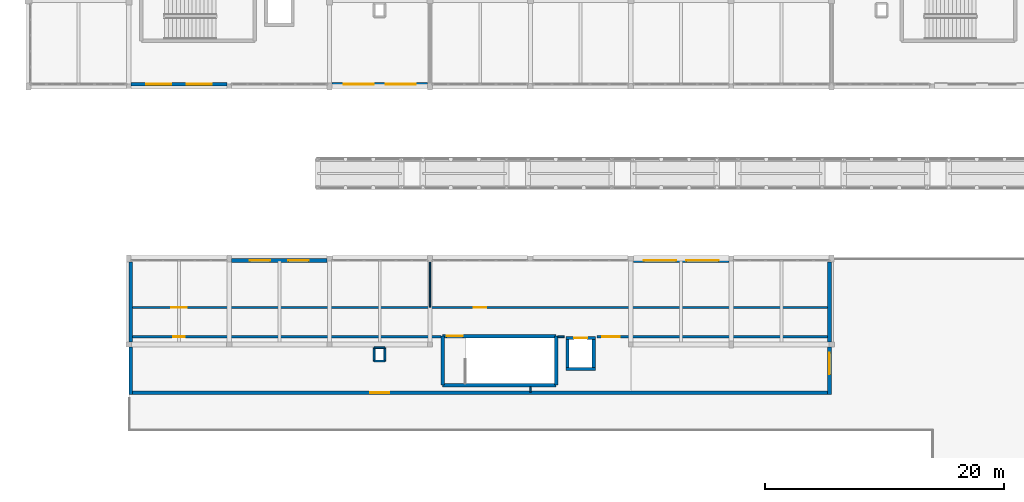
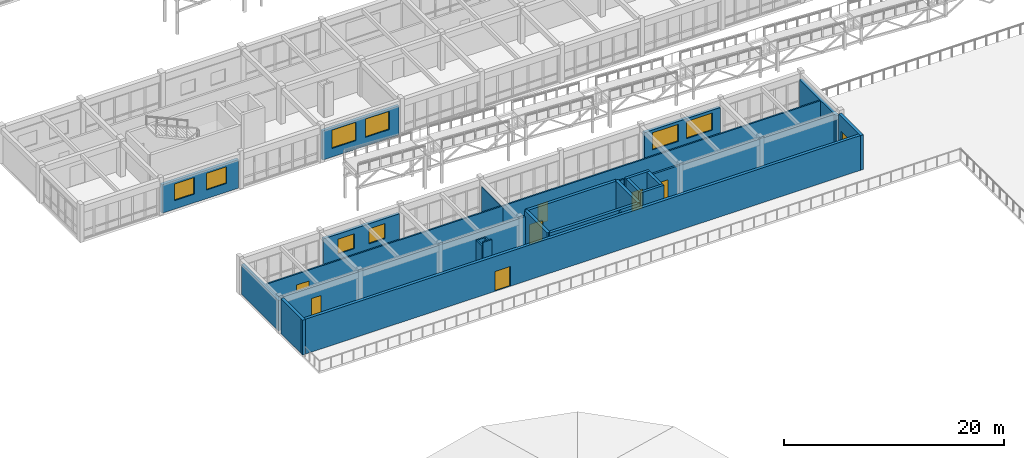
# One storey, part 73 of 89: 28 walls, 8 doors, 8 windows, 16 openings.
"""IFC4 building model written with IfcOpenShell, lengths in metres."""

from ifc_helpers import new_model, si_unit, direction, frame, frame_2d, origin, place, context, subcontext, project, spatial, rectangle, extrude, material, layer, layer_set, type_object, element, fill, save


model = new_model("IFC4")

# Units and contexts
model_context = context("Model", 3, precision=1e-05, world=origin(), true_north=direction((0.0, 1.0)))
body_context = subcontext(model_context, "Body", "Model", "MODEL_VIEW")
ifc_project = project(units=[si_unit("LENGTHUNIT", "METRE"), si_unit("AREAUNIT", "SQUARE_METRE"), si_unit("VOLUMEUNIT", "CUBIC_METRE"), si_unit("PLANEANGLEUNIT", "RADIAN"), si_unit("MASSUNIT", "GRAM", prefix="KILO")], contexts=[model_context])

# Site, building, storey
site_placement = place(None, origin())
site = spatial("IfcSite", under=ifc_project, at=site_placement, CompositionType="ELEMENT")
building_placement = place(site_placement, origin())
building = spatial("IfcBuilding", under=site, at=building_placement, Name="Malvenik Polytechnic", CompositionType="ELEMENT")
storey_placement = place(building_placement, frame((0.0, 0.0, 13.5)))
storey = spatial("IfcBuildingStorey", under=building, at=storey_placement, Name="L03", CompositionType="ELEMENT", Elevation=13.5)

# Wall
ifc_material_1 = material(Name="Concrete C35/45", Category="concrete")
ifc_layer_1 = layer(ifc_material_1, 0.280029296875)
ifc_layer_set_1 = layer_set([ifc_layer_1], Name="Concrete C35/45")
wall_type_1 = type_object("IfcWallType", Name="ARC-CW-S280", PredefinedType="SHEAR", material=ifc_layer_set_1)
wall_1_placement = place(storey_placement, frame((47.43994140625, 55.550048828125, 0.0), z_axis=(0.0, 0.0, 1.0), x_axis=(-1.0, 0.0, 0.0)))
element("IfcWall", 1, at=wall_1_placement, inside=storey, type_object=wall_type_1, Name="Lift Shaft Shear Wall LP-03 L03 -Y", PredefinedType="SHEAR", context=body_context, shape_type="SweptSolid", body=[
    extrude(rectangle(XDim=2.47998046875, YDim=0.280029296875, at=frame_2d((1.239990234375, 0.0))), origin(), (0.0, 0.0, 1.0), 3.93994140625),
])

# Wall, opening, door
wall_2_placement = place(storey_placement, frame((44.9599609375, 58.14990234375, 0.0), z_axis=(0.0, 0.0, 1.0), x_axis=(1.0, 0.0, 0.0)))
wall_2 = element("IfcWall", 2, at=wall_2_placement, inside=storey, type_object=wall_type_1, Name="Lift Shaft Shear Wall LP-03 L03 +Y", PredefinedType="SHEAR", context=body_context, shape_type="SweptSolid", body=[
    extrude(rectangle(XDim=2.47998046875, YDim=0.280029296875, at=frame_2d((1.239990234375, 0.0))), origin(), (0.0, 0.0, 1.0), 3.93994140625),
])
opening_1_placement = place(wall_2_placement, frame((0.68994140625, 0.0, 0.0)))
opening_1 = element("IfcOpeningElement", 3, at=opening_1_placement, cuts=wall_2, Name="Opening LD-01", PredefinedType="OPENING", context=body_context, shape_type="SweptSolid", body=[
    extrude(rectangle(XDim=1.10009765625, YDim=2.14990234375, at=frame_2d((0.550048828125, 1.074951171875))), frame((0.0, 0.14990234375, 0.0), z_axis=(0.0, -1.0, 0.0), x_axis=(1.0, 0.0, 0.0)), (0.0, 0.0, 1.0), 0.300048828125),
])
ifc_material_2 = material(Name="Stainless steel fire-rated sliding lift landing door", Category="steel")
door_type_1 = type_object("IfcDoorType", Name="ARC-LDR-LD-01", OperationType="NOTDEFINED", PredefinedType="DOOR", material=ifc_material_2)
door_1_placement = place(opening_1_placement, origin())
door_1 = element("IfcDoor", 4, at=door_1_placement, inside=storey, type_object=door_type_1, Name="Lift Sliding Landing Door LP-03 L03", OperationType="DOUBLE_DOOR_SLIDING", OverallHeight=2.14990234375, OverallWidth=1.10009765625, PredefinedType="DOOR", context=body_context, shape_type="SweptSolid", body=[
    extrude(rectangle(XDim=1.10009765625, YDim=2.14990234375, at=frame_2d((0.550048828125, 1.074951171875))), frame((0.0, 0.02490234375, 0.0), z_axis=(0.0, -1.0, 0.0), x_axis=(1.0, 0.0, 0.0)), (0.0, 0.0, 1.0), 0.050048828125),
])
fill(opening_1, door_1)

# Walls
for number, where, z_axis, x_axis, name in (
    (5, (45.10009765625, 55.409912109375, 0.0), (0.0, 0.0, 1.0), (0.0, 1.0, 0.0), "Lift Shaft Shear Wall LP-03 L03 -X"),
    (6, (47.300048828125, 58.2900390625, 0.0), (0.0, 0.0, 1.0), (0.0, -1.0, 0.0), "Lift Shaft Shear Wall LP-03 L03 +X"),
):
    element("IfcWall", number, at=place(storey_placement, frame(where, z_axis=z_axis, x_axis=x_axis)), inside=storey, type_object=wall_type_1, Name=name, PredefinedType="SHEAR", context=body_context, shape_type="SweptSolid", body=[
        extrude(rectangle(XDim=2.880126953125, YDim=0.280029296875, at=frame_2d((1.43994140625, 0.0))), origin(), (0.0, 0.0, 1.0), 3.93994140625),
    ])
ifc_layer_2 = layer(ifc_material_1, 0.300048828125)
ifc_layer_set_2 = layer_set([ifc_layer_2], Name="Concrete C35/45")
wall_type_2 = type_object("IfcWallType", Name="ARC-CW-S300", PredefinedType="SHEAR", material=ifc_layer_set_2)
wall_3_placement = place(storey_placement, frame((34.64990234375, 54.199951171875, 0.0), z_axis=(0.0, 0.0, 1.0), x_axis=(0.0, 1.0, 0.0)))
element("IfcWall", 7, at=wall_3_placement, inside=storey, type_object=wall_type_2, Name="Stair Core Shear Wall ST-06 L03 NEAR", PredefinedType="SHEAR", context=body_context, shape_type="SweptSolid", body=[
    extrude(rectangle(XDim=4.10009765625, YDim=0.300048828125, at=frame_2d((2.050048828125, 0.0))), origin(), (0.0, 0.0, 1.0), 3.93994140625),
])

# Wall, opening, door
wall_4_placement = place(storey_placement, frame((34.64990234375, 58.300048828125, 0.0), z_axis=(0.0, 0.0, 1.0), x_axis=(1.0, 0.0, 0.0)))
wall_4 = element("IfcWall", 8, at=wall_4_placement, inside=storey, type_object=wall_type_2, Name="Stair Core Shear Wall ST-06 L03 RGHT", PredefinedType="SHEAR", context=body_context, shape_type="SweptSolid", body=[
    extrude(rectangle(XDim=9.5, YDim=0.300048828125, at=frame_2d((4.75, 0.0))), origin(), (0.0, 0.0, 1.0), 3.93994140625),
])
opening_2_placement = place(wall_4_placement, frame((0.35009765625, 0.0, 0.0)))
opening_2 = element("IfcOpeningElement", 9, at=opening_2_placement, cuts=wall_4, Name="Opening SD-01", PredefinedType="OPENING", context=body_context, shape_type="SweptSolid", body=[
    extrude(rectangle(XDim=1.35009765625, YDim=2.199951171875, at=frame_2d((0.675048828125, 1.10009765625))), frame((0.0, 0.16015625, 0.0), z_axis=(0.0, -1.0, 0.0), x_axis=(1.0, 0.0, 0.0)), (0.0, 0.0, 1.0), 0.320068359375),
])
ifc_material_3 = material(Name="Fire-rated steel stair enclosure door", Category="steel")
door_type_2 = type_object("IfcDoorType", Name="ARC-IDR-SD-01", OperationType="NOTDEFINED", PredefinedType="DOOR", material=ifc_material_3)
door_2_placement = place(opening_2_placement, origin())
door_2 = element("IfcDoor", 10, at=door_2_placement, inside=storey, type_object=door_type_2, Name="Fire Stair Door ST-06 L03", OperationType="SINGLE_SWING_LEFT", OverallHeight=2.199951171875, OverallWidth=1.35009765625, PredefinedType="DOOR", context=body_context, shape_type="SweptSolid", body=[
    extrude(rectangle(XDim=1.35009765625, YDim=2.199951171875, at=frame_2d((0.675048828125, 1.10009765625))), frame((0.0, 0.02490234375, 0.0), z_axis=(0.0, -1.0, 0.0), x_axis=(1.0, 0.0, 0.0)), (0.0, 0.0, 1.0), 0.050048828125),
])
fill(opening_2, door_2)

# Walls
wall_5_placement = place(storey_placement, frame((44.14990234375, 58.300048828125, 0.0), z_axis=(0.0, 0.0, 1.0), x_axis=(0.0, -1.0, 0.0)))
element("IfcWall", 11, at=wall_5_placement, inside=storey, type_object=wall_type_2, Name="Stair Core Shear Wall ST-06 L03 FAR", PredefinedType="SHEAR", context=body_context, shape_type="SweptSolid", body=[
    extrude(rectangle(XDim=4.10009765625, YDim=0.300048828125, at=frame_2d((2.050048828125, 0.0))), origin(), (0.0, 0.0, 1.0), 3.93994140625),
])
wall_6_placement = place(storey_placement, frame((44.14990234375, 54.199951171875, 0.0), z_axis=(0.0, 0.0, 1.0), x_axis=(-1.0, 0.0, 0.0)))
element("IfcWall", 12, at=wall_6_placement, inside=storey, type_object=wall_type_2, Name="Stair Core Shear Wall ST-06 L03 LEFT", PredefinedType="SHEAR", context=body_context, shape_type="SweptSolid", body=[
    extrude(rectangle(XDim=9.5, YDim=0.300048828125, at=frame_2d((4.75, 0.0))), origin(), (0.0, 0.0, 1.0), 3.93994140625),
])

# Wall, openings, windows
ifc_material_4 = material(Name="Brick masonry M15", Category="masonry")
ifc_layer_3 = layer(ifc_material_4, 0.31005859375)
ifc_layer_set_3 = layer_set([ifc_layer_3], Name="Brick masonry M15")
wall_type_3 = type_object("IfcWallType", Name="ARC-EW-310", PredefinedType="SOLIDWALL", material=ifc_layer_set_3)
wall_7_placement = place(storey_placement, frame((33.402099609375, 79.3701171875, 0.0), z_axis=(0.0, 0.0, 1.0), x_axis=(-1.0, 0.0, 0.0)))
wall_7 = element("IfcWall", 13, at=wall_7_placement, inside=storey, type_object=wall_type_3, Name="External Facade Wall EW-03 L03 #406", PredefinedType="SOLIDWALL", context=body_context, shape_type="SweptSolid", body=[
    extrude(rectangle(XDim=8.004150390625, YDim=0.31005859375, at=frame_2d((4.001953125, 0.0))), origin(), (0.0, 0.0, 1.0), 3.22998046875),
])
opening_3_placement = place(wall_7_placement, frame((1.001220703125, 0.0, 0.949951171875)))
opening_3 = element("IfcOpeningElement", 14, at=opening_3_placement, cuts=wall_7, Name="Opening W-21", PredefinedType="OPENING", context=body_context, shape_type="SweptSolid", body=[
    extrude(rectangle(XDim=2.5, YDim=2.030029296875, at=frame_2d((1.25, 1.01513671875))), frame((0.0, 0.1650390625, 0.0), z_axis=(0.0, -1.0, 0.0), x_axis=(1.0, 0.0, 0.0)), (0.0, 0.0, 1.0), 0.330078125),
])
opening_4_placement = place(wall_7_placement, frame((4.502685546875, 0.0, 0.949951171875)))
opening_4 = element("IfcOpeningElement", 15, at=opening_4_placement, cuts=wall_7, Name="Opening W-21", PredefinedType="OPENING", context=body_context, shape_type="SweptSolid", body=[
    extrude(rectangle(XDim=2.5, YDim=2.030029296875, at=frame_2d((1.25, 1.01513671875))), frame((0.0, 0.1650390625, 0.0), z_axis=(0.0, -1.0, 0.0), x_axis=(1.0, 0.0, 0.0)), (0.0, 0.0, 1.0), 0.330078125),
])
ifc_material_5 = material(Name="Thermally broken aluminium frame with low-E double glazing", Category="aluminium")
window_type_1 = type_object("IfcWindowType", Name="ARC-WIN-W-21", PartitioningType="SINGLE_PANEL", PredefinedType="WINDOW", material=ifc_material_5)
window_1_placement = place(opening_3_placement, origin())
window_1 = element("IfcWindow", 16, at=window_1_placement, inside=storey, type_object=window_type_1, Name="Punched Window W-21 L03 #416", OverallHeight=2.030029296875, OverallWidth=2.5, PartitioningType="SINGLE_PANEL", PredefinedType="WINDOW", context=body_context, shape_type="SweptSolid", body=[
    extrude(rectangle(XDim=2.5, YDim=2.030029296875, at=frame_2d((1.25, 1.01513671875))), frame((0.0, 0.030029296875, 0.0), z_axis=(0.0, -1.0, 0.0), x_axis=(1.0, 0.0, 0.0)), (0.0, 0.0, 1.0), 0.06005859375),
])
fill(opening_3, window_1)
window_2_placement = place(opening_4_placement, origin())
window_2 = element("IfcWindow", 17, at=window_2_placement, inside=storey, type_object=window_type_1, Name="Punched Window W-21 L03 #417", OverallHeight=2.030029296875, OverallWidth=2.5, PartitioningType="SINGLE_PANEL", PredefinedType="WINDOW", context=body_context, shape_type="SweptSolid", body=[
    extrude(rectangle(XDim=2.5, YDim=2.030029296875, at=frame_2d((1.25, 1.01513671875))), frame((0.0, 0.030029296875, 0.0), z_axis=(0.0, -1.0, 0.0), x_axis=(1.0, 0.0, 0.0)), (0.0, 0.0, 1.0), 0.06005859375),
])
fill(opening_4, window_2)

wall_8_placement = place(storey_placement, frame((16.60205078125, 79.3701171875, 0.0), z_axis=(0.0, 0.0, 1.0), x_axis=(-1.0, 0.0, 0.0)))
wall_8 = element("IfcWall", 18, at=wall_8_placement, inside=storey, type_object=wall_type_3, Name="External Facade Wall EW-03 L03 #407", PredefinedType="SOLIDWALL", context=body_context, shape_type="SweptSolid", body=[
    extrude(rectangle(XDim=8.004150390625, YDim=0.31005859375, at=frame_2d((4.001953125, 0.0))), origin(), (0.0, 0.0, 1.0), 3.159912109375),
])
opening_5_placement = place(wall_8_placement, frame((1.26806640625, 0.0, 0.949951171875)))
opening_5 = element("IfcOpeningElement", 19, at=opening_5_placement, cuts=wall_8, Name="Opening W-23", PredefinedType="OPENING", context=body_context, shape_type="SweptSolid", body=[
    extrude(rectangle(XDim=2.10009765625, YDim=1.85009765625, at=frame_2d((1.050048828125, 0.925048828125))), frame((0.0, 0.1650390625, 0.0), z_axis=(0.0, -1.0, 0.0), x_axis=(1.0, 0.0, 0.0)), (0.0, 0.0, 1.0), 0.330078125),
])
opening_6_placement = place(wall_8_placement, frame((4.635986328125, 0.0, 0.949951171875)))
opening_6 = element("IfcOpeningElement", 20, at=opening_6_placement, cuts=wall_8, Name="Opening W-23", PredefinedType="OPENING", context=body_context, shape_type="SweptSolid", body=[
    extrude(rectangle(XDim=2.10009765625, YDim=1.85009765625, at=frame_2d((1.050048828125, 0.925048828125))), frame((0.0, 0.1650390625, 0.0), z_axis=(0.0, -1.0, 0.0), x_axis=(1.0, 0.0, 0.0)), (0.0, 0.0, 1.0), 0.330078125),
])
window_type_2 = type_object("IfcWindowType", Name="ARC-WIN-W-23", PartitioningType="SINGLE_PANEL", PredefinedType="WINDOW", material=ifc_material_5)
window_3_placement = place(opening_5_placement, origin())
window_3 = element("IfcWindow", 21, at=window_3_placement, inside=storey, type_object=window_type_2, Name="Punched Window W-23 L03 #418", OverallHeight=1.85009765625, OverallWidth=2.10009765625, PartitioningType="SINGLE_PANEL", PredefinedType="WINDOW", context=body_context, shape_type="SweptSolid", body=[
    extrude(rectangle(XDim=2.10009765625, YDim=1.85009765625, at=frame_2d((1.050048828125, 0.925048828125))), frame((0.0, 0.030029296875, 0.0), z_axis=(0.0, -1.0, 0.0), x_axis=(1.0, 0.0, 0.0)), (0.0, 0.0, 1.0), 0.06005859375),
])
fill(opening_5, window_3)
window_4_placement = place(opening_6_placement, origin())
window_4 = element("IfcWindow", 22, at=window_4_placement, inside=storey, type_object=window_type_2, Name="Punched Window W-23 L03 #419", OverallHeight=1.85009765625, OverallWidth=2.10009765625, PartitioningType="SINGLE_PANEL", PredefinedType="WINDOW", context=body_context, shape_type="SweptSolid", body=[
    extrude(rectangle(XDim=2.10009765625, YDim=1.85009765625, at=frame_2d((1.050048828125, 0.925048828125))), frame((0.0, 0.030029296875, 0.0), z_axis=(0.0, -1.0, 0.0), x_axis=(1.0, 0.0, 0.0)), (0.0, 0.0, 1.0), 0.06005859375),
])
fill(opening_6, window_4)

wall_9_placement = place(storey_placement, frame((16.998046875, 64.6298828125, 0.0), z_axis=(0.0, 0.0, 1.0), x_axis=(1.0, 0.0, 0.0)))
wall_9 = element("IfcWall", 23, at=wall_9_placement, inside=storey, type_object=wall_type_3, Name="External Facade Wall EW-03 L03 #409", PredefinedType="SOLIDWALL", context=body_context, shape_type="SweptSolid", body=[
    extrude(rectangle(XDim=7.97900390625, YDim=0.31005859375, at=frame_2d((3.989501953125, 0.0))), origin(), (0.0, 0.0, 1.0), 3.159912109375),
])
opening_7_placement = place(wall_9_placement, frame((1.5263671875, 0.0, 0.949951171875)))
opening_7 = element("IfcOpeningElement", 24, at=opening_7_placement, cuts=wall_9, Name="Opening W-25", PredefinedType="OPENING", context=body_context, shape_type="SweptSolid", body=[
    extrude(rectangle(XDim=1.699951171875, YDim=1.64990234375, at=frame_2d((0.85009765625, 0.824951171875))), frame((0.0, 0.1650390625, 0.0), z_axis=(0.0, -1.0, 0.0), x_axis=(1.0, 0.0, 0.0)), (0.0, 0.0, 1.0), 0.330078125),
])
opening_8_placement = place(wall_9_placement, frame((4.752685546875, 0.0, 0.949951171875)))
opening_8 = element("IfcOpeningElement", 25, at=opening_8_placement, cuts=wall_9, Name="Opening W-25", PredefinedType="OPENING", context=body_context, shape_type="SweptSolid", body=[
    extrude(rectangle(XDim=1.699951171875, YDim=1.64990234375, at=frame_2d((0.85009765625, 0.824951171875))), frame((0.0, 0.1650390625, 0.0), z_axis=(0.0, -1.0, 0.0), x_axis=(1.0, 0.0, 0.0)), (0.0, 0.0, 1.0), 0.330078125),
])
window_type_3 = type_object("IfcWindowType", Name="ARC-WIN-W-25", PartitioningType="SINGLE_PANEL", PredefinedType="WINDOW", material=ifc_material_5)
window_5_placement = place(opening_7_placement, origin())
window_5 = element("IfcWindow", 26, at=window_5_placement, inside=storey, type_object=window_type_3, Name="Punched Window W-25 L03 #420", OverallHeight=1.64990234375, OverallWidth=1.699951171875, PartitioningType="SINGLE_PANEL", PredefinedType="WINDOW", context=body_context, shape_type="SweptSolid", body=[
    extrude(rectangle(XDim=1.699951171875, YDim=1.64990234375, at=frame_2d((0.85009765625, 0.824951171875))), frame((0.0, 0.030029296875, 0.0), z_axis=(0.0, -1.0, 0.0), x_axis=(1.0, 0.0, 0.0)), (0.0, 0.0, 1.0), 0.06005859375),
])
fill(opening_7, window_5)
window_6_placement = place(opening_8_placement, origin())
window_6 = element("IfcWindow", 27, at=window_6_placement, inside=storey, type_object=window_type_3, Name="Punched Window W-25 L03 #421", OverallHeight=1.64990234375, OverallWidth=1.699951171875, PartitioningType="SINGLE_PANEL", PredefinedType="WINDOW", context=body_context, shape_type="SweptSolid", body=[
    extrude(rectangle(XDim=1.699951171875, YDim=1.64990234375, at=frame_2d((0.85009765625, 0.824951171875))), frame((0.0, 0.030029296875, 0.0), z_axis=(0.0, -1.0, 0.0), x_axis=(1.0, 0.0, 0.0)), (0.0, 0.0, 1.0), 0.06005859375),
])
fill(opening_8, window_6)

wall_10_placement = place(storey_placement, frame((50.623046875, 64.6298828125, 0.0), z_axis=(0.0, 0.0, 1.0), x_axis=(1.0, 0.0, 0.0)))
wall_10 = element("IfcWall", 28, at=wall_10_placement, inside=storey, type_object=wall_type_3, Name="External Facade Wall EW-03 L03 #410", PredefinedType="SOLIDWALL", context=body_context, shape_type="SweptSolid", body=[
    extrude(rectangle(XDim=7.97900390625, YDim=0.31005859375, at=frame_2d((3.989501953125, 0.0))), origin(), (0.0, 0.0, 1.0), 3.159912109375),
])
opening_9_placement = place(wall_10_placement, frame((0.859619140625, 0.0, 0.949951171875)))
opening_9 = element("IfcOpeningElement", 29, at=opening_9_placement, cuts=wall_10, Name="Opening W-27", PredefinedType="OPENING", context=body_context, shape_type="SweptSolid", body=[
    extrude(rectangle(XDim=2.699951171875, YDim=1.89990234375, at=frame_2d((1.35009765625, 0.949951171875))), frame((0.0, 0.1650390625, 0.0), z_axis=(0.0, -1.0, 0.0), x_axis=(1.0, 0.0, 0.0)), (0.0, 0.0, 1.0), 0.330078125),
])
opening_10_placement = place(wall_10_placement, frame((4.41943359375, 0.0, 0.949951171875)))
opening_10 = element("IfcOpeningElement", 30, at=opening_10_placement, cuts=wall_10, Name="Opening W-27", PredefinedType="OPENING", context=body_context, shape_type="SweptSolid", body=[
    extrude(rectangle(XDim=2.699951171875, YDim=1.89990234375, at=frame_2d((1.35009765625, 0.949951171875))), frame((0.0, 0.1650390625, 0.0), z_axis=(0.0, -1.0, 0.0), x_axis=(1.0, 0.0, 0.0)), (0.0, 0.0, 1.0), 0.330078125),
])
window_type_4 = type_object("IfcWindowType", Name="ARC-WIN-W-27", PartitioningType="SINGLE_PANEL", PredefinedType="WINDOW", material=ifc_material_5)
window_7_placement = place(opening_9_placement, origin())
window_7 = element("IfcWindow", 31, at=window_7_placement, inside=storey, type_object=window_type_4, Name="Punched Window W-27 L03 #422", OverallHeight=1.89990234375, OverallWidth=2.699951171875, PartitioningType="SINGLE_PANEL", PredefinedType="WINDOW", context=body_context, shape_type="SweptSolid", body=[
    extrude(rectangle(XDim=2.699951171875, YDim=1.89990234375, at=frame_2d((1.35009765625, 0.949951171875))), frame((0.0, 0.030029296875, 0.0), z_axis=(0.0, -1.0, 0.0), x_axis=(1.0, 0.0, 0.0)), (0.0, 0.0, 1.0), 0.06005859375),
])
fill(opening_9, window_7)
window_8_placement = place(opening_10_placement, origin())
window_8 = element("IfcWindow", 32, at=window_8_placement, inside=storey, type_object=window_type_4, Name="Punched Window W-27 L03 #423", OverallHeight=1.89990234375, OverallWidth=2.699951171875, PartitioningType="SINGLE_PANEL", PredefinedType="WINDOW", context=body_context, shape_type="SweptSolid", body=[
    extrude(rectangle(XDim=2.699951171875, YDim=1.89990234375, at=frame_2d((1.35009765625, 0.949951171875))), frame((0.0, 0.030029296875, 0.0), z_axis=(0.0, -1.0, 0.0), x_axis=(1.0, 0.0, 0.0)), (0.0, 0.0, 1.0), 0.06005859375),
])
fill(opening_10, window_8)

# Wall
wall_11_placement = place(storey_placement, frame((67.030029296875, 64.501953125, 0.0), z_axis=(0.0, 0.0, 1.0), x_axis=(0.0, -1.0, 0.0)))
element("IfcWall", 33, at=wall_11_placement, inside=storey, type_object=wall_type_3, Name="External Facade Wall EW-03 L03 #411", PredefinedType="SOLIDWALL", context=body_context, shape_type="SweptSolid", body=[
    extrude(rectangle(XDim=6.678955078125, YDim=0.31005859375, at=frame_2d((3.33935546875, 0.0))), origin(), (0.0, 0.0, 1.0), 3.360107421875),
])

# Wall, opening, door
wall_12_placement = place(storey_placement, frame((67.030029296875, 57.376953125, 0.0), z_axis=(0.0, 0.0, 1.0), x_axis=(0.0, -1.0, 0.0)))
wall_12 = element("IfcWall", 34, at=wall_12_placement, inside=storey, type_object=wall_type_3, Name="External Facade Wall EW-03 L03 #412", PredefinedType="SOLIDWALL", context=body_context, shape_type="SweptSolid", body=[
    extrude(rectangle(XDim=3.97705078125, YDim=0.31005859375, at=frame_2d((1.988525390625, 0.0))), origin(), (0.0, 0.0, 1.0), 3.860107421875),
])
opening_11_placement = place(wall_12_placement, frame((0.47705078125, 0.0, 0.0)))
opening_11 = element("IfcOpeningElement", 35, at=opening_11_placement, cuts=wall_12, Name="Opening TD-01", PredefinedType="OPENING", context=body_context, shape_type="SweptSolid", body=[
    extrude(rectangle(XDim=1.800048828125, YDim=2.199951171875, at=frame_2d((0.89990234375, 1.10009765625))), frame((0.0, 0.1650390625, 0.0), z_axis=(0.0, -1.0, 0.0), x_axis=(1.0, 0.0, 0.0)), (0.0, 0.0, 1.0), 0.330078125),
])
ifc_material_6 = material(Name="Thermally broken glazed aluminium terrace door", Category="aluminium")
door_type_3 = type_object("IfcDoorType", Name="ARC-EDR-TD-01", OperationType="NOTDEFINED", PredefinedType="DOOR", material=ifc_material_6)
door_3_placement = place(opening_11_placement, origin())
door_3 = element("IfcDoor", 36, at=door_3_placement, inside=storey, type_object=door_type_3, Name="External Door TD-01 L03 #40", OperationType="DOUBLE_DOOR_SINGLE_SWING", OverallHeight=2.199951171875, OverallWidth=1.800048828125, PredefinedType="DOOR", context=body_context, shape_type="SweptSolid", body=[
    extrude(rectangle(XDim=1.800048828125, YDim=2.199951171875, at=frame_2d((0.89990234375, 1.10009765625))), frame((0.0, 0.02490234375, 0.0), z_axis=(0.0, -1.0, 0.0), x_axis=(1.0, 0.0, 0.0)), (0.0, 0.0, 1.0), 0.050048828125),
])
fill(opening_11, door_3)

wall_13_placement = place(storey_placement, frame((67.199951171875, 53.570068359375, 0.0), z_axis=(0.0, 0.0, 1.0), x_axis=(-1.0, 0.0, 0.0)))
wall_13 = element("IfcWall", 37, at=wall_13_placement, inside=storey, type_object=wall_type_3, Name="External Facade Wall EW-03 L03 #413", PredefinedType="SOLIDWALL", context=body_context, shape_type="SweptSolid", body=[
    extrude(rectangle(XDim=58.800048828125, YDim=0.31005859375, at=frame_2d((29.39990234375, 0.0))), origin(), (0.0, 0.0, 1.0), 3.860107421875),
])
opening_12_placement = place(wall_13_placement, frame((37.0, 0.0, 0.0)))
opening_12 = element("IfcOpeningElement", 38, at=opening_12_placement, cuts=wall_13, Name="Opening TD-02", PredefinedType="OPENING", context=body_context, shape_type="SweptSolid", body=[
    extrude(rectangle(XDim=1.60009765625, YDim=2.199951171875, at=frame_2d((0.800048828125, 1.10009765625))), frame((0.0, 0.1650390625, 0.0), z_axis=(0.0, -1.0, 0.0), x_axis=(1.0, 0.0, 0.0)), (0.0, 0.0, 1.0), 0.330078125),
])
door_type_4 = type_object("IfcDoorType", Name="ARC-EDR-TD-02", OperationType="NOTDEFINED", PredefinedType="DOOR", material=ifc_material_6)
door_4_placement = place(opening_12_placement, origin())
door_4 = element("IfcDoor", 39, at=door_4_placement, inside=storey, type_object=door_type_4, Name="External Door TD-02 L03 #41", OperationType="DOUBLE_DOOR_SINGLE_SWING", OverallHeight=2.199951171875, OverallWidth=1.60009765625, PredefinedType="DOOR", context=body_context, shape_type="SweptSolid", body=[
    extrude(rectangle(XDim=1.60009765625, YDim=2.199951171875, at=frame_2d((0.800048828125, 1.10009765625))), frame((0.0, 0.02490234375, 0.0), z_axis=(0.0, -1.0, 0.0), x_axis=(1.0, 0.0, 0.0)), (0.0, 0.0, 1.0), 0.050048828125),
])
fill(opening_12, door_4)

# Walls
wall_14_placement = place(storey_placement, frame((8.570068359375, 53.39990234375, 0.0), z_axis=(0.0, 0.0, 1.0), x_axis=(0.0, 1.0, 0.0)))
element("IfcWall", 40, at=wall_14_placement, inside=storey, type_object=wall_type_3, Name="External Facade Wall EW-03 L03 #414", PredefinedType="SOLIDWALL", context=body_context, shape_type="SweptSolid", body=[
    extrude(rectangle(XDim=3.97705078125, YDim=0.31005859375, at=frame_2d((1.988525390625, 0.0))), origin(), (0.0, 0.0, 1.0), 3.860107421875),
])
wall_15_placement = place(storey_placement, frame((8.570068359375, 57.822998046875, 0.0), z_axis=(0.0, 0.0, 1.0), x_axis=(0.0, 1.0, 0.0)))
element("IfcWall", 41, at=wall_15_placement, inside=storey, type_object=wall_type_3, Name="External Facade Wall EW-03 L03 #415", PredefinedType="SOLIDWALL", context=body_context, shape_type="SweptSolid", body=[
    extrude(rectangle(XDim=6.678955078125, YDim=0.31005859375, at=frame_2d((3.33935546875, 0.0))), origin(), (0.0, 0.0, 1.0), 3.360107421875),
])

# Wall, opening, door
ifc_material_7 = material(Name="Calcium silicate fire-rated blockwork 200mm", Category="masonry")
ifc_layer_4 = layer(ifc_material_7, 0.199951171875)
ifc_layer_set_4 = layer_set([ifc_layer_4], Name="Calcium silicate fire-rated blockwork 200mm")
wall_type_4 = type_object("IfcWallType", Name="ARC-FW-200", PredefinedType="SOLIDWALL", material=ifc_layer_set_4)
wall_16_placement = place(storey_placement, frame((34.510009765625, 58.25, 0.0), z_axis=(0.0, 0.0, 1.0), x_axis=(-1.0, 0.0, 0.0)))
wall_16 = element("IfcWall", 42, at=wall_16_placement, inside=storey, type_object=wall_type_4, Name="Interior Partition FW-02 L03 #348", PredefinedType="SOLIDWALL", context=body_context, shape_type="SweptSolid", body=[
    extrude(rectangle(XDim=25.889892578125, YDim=0.199951171875, at=frame_2d((12.94482421875, 0.0))), origin(), (0.0, 0.0, 1.0), 3.35498046875),
])
opening_13_placement = place(wall_16_placement, frame((21.409912109375, 0.0, 0.0)))
opening_13 = element("IfcOpeningElement", 43, at=opening_13_placement, cuts=wall_16, Name="Opening FD-07", PredefinedType="OPENING", context=body_context, shape_type="SweptSolid", body=[
    extrude(rectangle(XDim=1.0, YDim=2.10009765625, at=frame_2d((0.5, 1.050048828125))), frame((0.0, 0.10986328125, 0.0), z_axis=(0.0, -1.0, 0.0), x_axis=(1.0, 0.0, 0.0)), (0.0, 0.0, 1.0), 0.219970703125),
])
ifc_material_8 = material(Name="Fire-rated washroom corridor door", Category="steel")
door_type_5 = type_object("IfcDoorType", Name="ARC-IDR-FD-07", OperationType="NOTDEFINED", PredefinedType="DOOR", material=ifc_material_8)
door_5_placement = place(opening_13_placement, origin())
door_5 = element("IfcDoor", 44, at=door_5_placement, inside=storey, type_object=door_type_5, Name="Interior Door FD-07 L03 #148", OperationType="SINGLE_SWING_RIGHT", OverallHeight=2.10009765625, OverallWidth=1.0, PredefinedType="DOOR", context=body_context, shape_type="SweptSolid", body=[
    extrude(rectangle(XDim=1.0, YDim=2.10009765625, at=frame_2d((0.5, 1.050048828125))), frame((0.0, 0.02490234375, 0.0), z_axis=(0.0, -1.0, 0.0), x_axis=(1.0, 0.0, 0.0)), (0.0, 0.0, 1.0), 0.050048828125),
])
fill(opening_13, door_5)

wall_17_placement = place(storey_placement, frame((66.97998046875, 58.25, 0.0), z_axis=(0.0, 0.0, 1.0), x_axis=(-1.0, 0.0, 0.0)))
wall_17 = element("IfcWall", 45, at=wall_17_placement, inside=storey, type_object=wall_type_4, Name="Interior Partition FW-02 L03 #350", PredefinedType="SOLIDWALL", context=body_context, shape_type="SweptSolid", body=[
    extrude(rectangle(XDim=19.409912109375, YDim=0.199951171875, at=frame_2d((9.705078125, 0.0))), origin(), (0.0, 0.0, 1.0), 3.35498046875),
])
opening_14_placement = place(wall_17_placement, frame((17.510009765625, 0.0, 0.0)))
opening_14 = element("IfcOpeningElement", 46, at=opening_14_placement, cuts=wall_17, Name="Opening FD-08", PredefinedType="OPENING", context=body_context, shape_type="SweptSolid", body=[
    extrude(rectangle(XDim=1.449951171875, YDim=2.199951171875, at=frame_2d((0.72509765625, 1.10009765625))), frame((0.0, 0.10986328125, 0.0), z_axis=(0.0, -1.0, 0.0), x_axis=(1.0, 0.0, 0.0)), (0.0, 0.0, 1.0), 0.219970703125),
])
ifc_material_9 = material(Name="Fire-rated seminar corridor door", Category="steel")
door_type_6 = type_object("IfcDoorType", Name="ARC-IDR-FD-08", OperationType="NOTDEFINED", PredefinedType="DOOR", material=ifc_material_9)
door_6_placement = place(opening_14_placement, origin())
door_6 = element("IfcDoor", 47, at=door_6_placement, inside=storey, type_object=door_type_6, Name="Interior Door FD-08 L03 #149", OperationType="SINGLE_SWING_LEFT", OverallHeight=2.199951171875, OverallWidth=1.449951171875, PredefinedType="DOOR", context=body_context, shape_type="SweptSolid", body=[
    extrude(rectangle(XDim=1.449951171875, YDim=2.199951171875, at=frame_2d((0.72509765625, 1.10009765625))), frame((0.0, 0.02490234375, 0.0), z_axis=(0.0, -1.0, 0.0), x_axis=(1.0, 0.0, 0.0)), (0.0, 0.0, 1.0), 0.050048828125),
])
fill(opening_14, door_6)

# Walls
ifc_material_10 = material(Name="Metal-stud gypsum board partition 125mm", Category="gypsum")
ifc_layer_5 = layer(ifc_material_10, 0.125)
ifc_layer_set_5 = layer_set([ifc_layer_5], Name="Metal-stud gypsum board partition 125mm")
wall_type_5 = type_object("IfcWallType", Name="ARC-PW-125", PredefinedType="PARTITIONING", material=ifc_layer_set_5)
wall_18_placement = place(storey_placement, frame((33.60009765625, 60.699951171875, 0.0), z_axis=(0.0, 0.0, 1.0), x_axis=(0.0, 1.0, 0.0)))
element("IfcWall", 48, at=wall_18_placement, inside=storey, type_object=wall_type_5, Name="Interior Partition PW-03I L03 #346", PredefinedType="PARTITIONING", context=body_context, shape_type="SweptSolid", body=[
    extrude(rectangle(XDim=3.780029296875, YDim=0.125, at=frame_2d((1.89013671875, 0.0))), origin(), (0.0, 0.0, 1.0), 3.155029296875),
])
wall_19_placement = place(storey_placement, frame((42.0, 53.6201171875, 0.0), z_axis=(0.0, 0.0, 1.0), x_axis=(0.0, 1.0, 0.0)))
element("IfcWall", 49, at=wall_19_placement, inside=storey, type_object=wall_type_5, Name="Interior Partition PW-03I L03 #349", PredefinedType="PARTITIONING", context=body_context, shape_type="SweptSolid", body=[
    extrude(rectangle(XDim=0.43994140625, YDim=0.125, at=frame_2d((0.219970703125, 0.0))), origin(), (0.0, 0.0, 1.0), 3.85009765625),
])
ifc_material_11 = material(Name="Double-stud acoustic gypsum board partition 160mm", Category="gypsum")
ifc_layer_6 = layer(ifc_material_11, 0.159912109375)
ifc_layer_set_6 = layer_set([ifc_layer_6], Name="Double-stud acoustic gypsum board partition 160mm")
wall_type_6 = type_object("IfcWallType", Name="ARC-PW-160", PredefinedType="PARTITIONING", material=ifc_layer_set_6)
wall_20_placement = place(storey_placement, frame((28.919921875, 56.219970703125, 0.0), z_axis=(0.0, 0.0, 1.0), x_axis=(1.0, 0.0, 0.0)))
element("IfcWall", 50, at=wall_20_placement, inside=storey, type_object=wall_type_6, Name="Riser Shaft Enclosure L03 #44S", PredefinedType="PARTITIONING", context=body_context, shape_type="SweptSolid", body=[
    extrude(rectangle(XDim=0.91015625, YDim=0.159912109375, at=frame_2d((0.455078125, 0.0))), origin(), (0.0, 0.0, 1.0), 3.64990234375),
])
wall_21_placement = place(storey_placement, frame((29.830078125, 57.330078125, 0.0), z_axis=(0.0, 0.0, 1.0), x_axis=(-1.0, 0.0, 0.0)))
element("IfcWall", 51, at=wall_21_placement, inside=storey, type_object=wall_type_6, Name="Riser Shaft Enclosure L03 #44N", PredefinedType="PARTITIONING", context=body_context, shape_type="SweptSolid", body=[
    extrude(rectangle(XDim=0.91015625, YDim=0.159912109375, at=frame_2d((0.455078125, 0.0))), origin(), (0.0, 0.0, 1.0), 3.22509765625),
])
for number, where, z_axis, x_axis, name in (
    (52, (28.919921875, 57.330078125, 0.0), (0.0, 0.0, 1.0), (0.0, -1.0, 0.0), "Riser Shaft Enclosure L03 #44W"),
    (53, (29.830078125, 56.219970703125, 0.0), (0.0, 0.0, 1.0), (0.0, 1.0, 0.0), "Riser Shaft Enclosure L03 #44E"),
):
    element("IfcWall", number, at=place(storey_placement, frame(where, z_axis=z_axis, x_axis=x_axis)), inside=storey, type_object=wall_type_6, Name=name, PredefinedType="PARTITIONING", context=body_context, shape_type="SweptSolid", body=[
        extrude(rectangle(XDim=1.110107421875, YDim=0.159912109375, at=frame_2d((0.55517578125, 0.0))), origin(), (0.0, 0.0, 1.0), 3.22509765625),
    ])

# Wall, opening, door
wall_22_placement = place(storey_placement, frame((8.6201171875, 60.699951171875, 0.0), z_axis=(0.0, 0.0, 1.0), x_axis=(1.0, 0.0, 0.0)))
wall_22 = element("IfcWall", 54, at=wall_22_placement, inside=storey, type_object=wall_type_6, Name="Interior Partition PW-01I L03 #345", PredefinedType="PARTITIONING", context=body_context, shape_type="SweptSolid", body=[
    extrude(rectangle(XDim=24.97998046875, YDim=0.159912109375, at=frame_2d((12.489990234375, 0.0))), origin(), (0.0, 0.0, 1.0), 3.35498046875),
])
opening_15_placement = place(wall_22_placement, frame((3.330078125, 0.0, 0.0)))
opening_15 = element("IfcOpeningElement", 55, at=opening_15_placement, cuts=wall_22, Name="Opening FD-04", PredefinedType="OPENING", context=body_context, shape_type="SweptSolid", body=[
    extrude(rectangle(XDim=1.300048828125, YDim=2.14990234375, at=frame_2d((0.64990234375, 1.074951171875))), frame((0.0, 0.08984375, 0.0), z_axis=(0.0, -1.0, 0.0), x_axis=(1.0, 0.0, 0.0)), (0.0, 0.0, 1.0), 0.179931640625),
])
ifc_material_12 = material(Name="Fire-rated plant room steel door", Category="steel")
door_type_7 = type_object("IfcDoorType", Name="ARC-IDR-FD-04", OperationType="NOTDEFINED", PredefinedType="DOOR", material=ifc_material_12)
door_7_placement = place(opening_15_placement, origin())
door_7 = element("IfcDoor", 56, at=door_7_placement, inside=storey, type_object=door_type_7, Name="Interior Door FD-04 L03 #146", OperationType="SINGLE_SWING_RIGHT", OverallHeight=2.14990234375, OverallWidth=1.300048828125, PredefinedType="DOOR", context=body_context, shape_type="SweptSolid", body=[
    extrude(rectangle(XDim=1.300048828125, YDim=2.14990234375, at=frame_2d((0.64990234375, 1.074951171875))), frame((0.0, 0.02490234375, 0.0), z_axis=(0.0, -1.0, 0.0), x_axis=(1.0, 0.0, 0.0)), (0.0, 0.0, 1.0), 0.050048828125),
])
fill(opening_15, door_7)

wall_23_placement = place(storey_placement, frame((33.60009765625, 60.699951171875, 0.0), z_axis=(0.0, 0.0, 1.0), x_axis=(1.0, 0.0, 0.0)))
wall_23 = element("IfcWall", 57, at=wall_23_placement, inside=storey, type_object=wall_type_6, Name="Interior Partition PW-01I L03 #347", PredefinedType="PARTITIONING", context=body_context, shape_type="SweptSolid", body=[
    extrude(rectangle(XDim=33.3798828125, YDim=0.159912109375, at=frame_2d((16.68994140625, 0.0))), origin(), (0.0, 0.0, 1.0), 3.35498046875),
])
opening_16_placement = place(wall_23_placement, frame((3.675048828125, 0.0, 0.0)))
opening_16 = element("IfcOpeningElement", 58, at=opening_16_placement, cuts=wall_23, Name="Opening FD-05", PredefinedType="OPENING", context=body_context, shape_type="SweptSolid", body=[
    extrude(rectangle(XDim=1.050048828125, YDim=2.14990234375, at=frame_2d((0.52490234375, 1.074951171875))), frame((0.0, 0.08984375, 0.0), z_axis=(0.0, -1.0, 0.0), x_axis=(1.0, 0.0, 0.0)), (0.0, 0.0, 1.0), 0.179931640625),
])
ifc_material_13 = material(Name="Fire-rated archive room door", Category="steel")
door_type_8 = type_object("IfcDoorType", Name="ARC-IDR-FD-05", OperationType="NOTDEFINED", PredefinedType="DOOR", material=ifc_material_13)
door_8_placement = place(opening_16_placement, origin())
door_8 = element("IfcDoor", 59, at=door_8_placement, inside=storey, type_object=door_type_8, Name="Interior Door FD-05 L03 #147", OperationType="SINGLE_SWING_LEFT", OverallHeight=2.14990234375, OverallWidth=1.050048828125, PredefinedType="DOOR", context=body_context, shape_type="SweptSolid", body=[
    extrude(rectangle(XDim=1.050048828125, YDim=2.14990234375, at=frame_2d((0.52490234375, 1.074951171875))), frame((0.0, 0.02490234375, 0.0), z_axis=(0.0, -1.0, 0.0), x_axis=(1.0, 0.0, 0.0)), (0.0, 0.0, 1.0), 0.050048828125),
])
fill(opening_16, door_8)

# Wall
wall_24_placement = place(storey_placement, frame((44.830078125, 58.25, 0.0), z_axis=(0.0, 0.0, 1.0), x_axis=(-1.0, 0.0, 0.0)))
element("IfcWall", 60, at=wall_24_placement, inside=storey, type_object=wall_type_6, Name="Interior Partition PW-01I L03 #351", PredefinedType="PARTITIONING", context=body_context, shape_type="SweptSolid", body=[
    extrude(rectangle(XDim=0.5400390625, YDim=0.159912109375, at=frame_2d((0.27001953125, 0.0))), origin(), (0.0, 0.0, 1.0), 3.85009765625),
])

save(model, "model.ifc")
